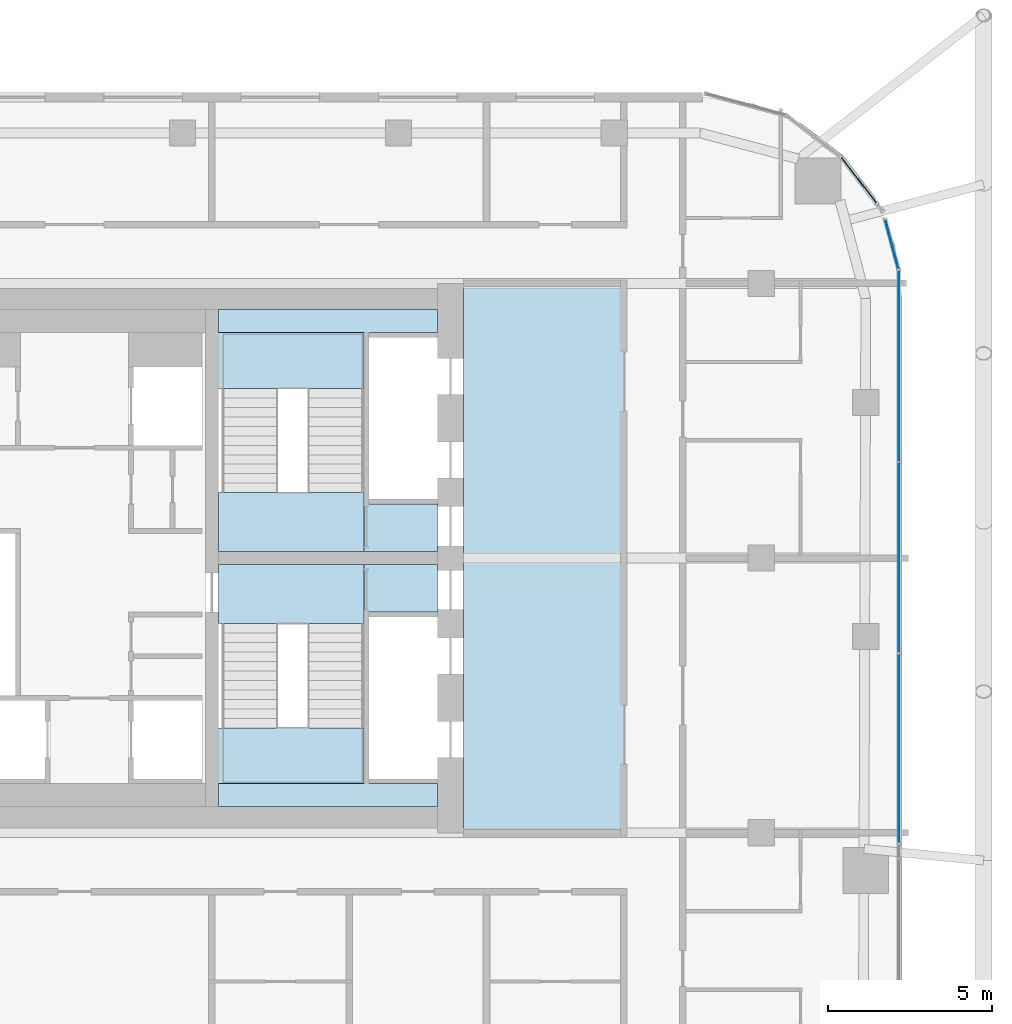
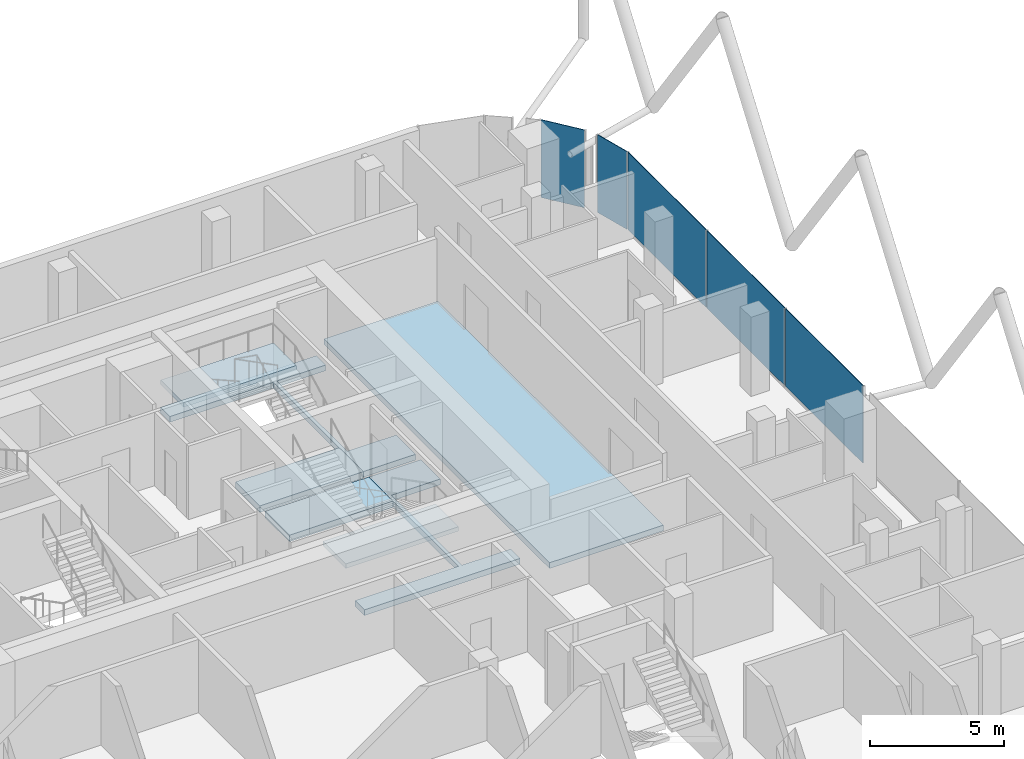
# One storey, part 21 of 31: 7 slabs, 5 plates, 5 elements without a shape of their own.
"""IFC4 building model written with IfcOpenShell, lengths in metres."""

import ifcopenshell
import ifcopenshell.guid

model = None  # the IFC model being written
_history = None  # IfcOwnerHistory: only IFC2X3 demands one
_inside = {}  # id of a spatial element -> (the spatial element, [elements in it])
_under = {}  # id of a project, library or spatial element -> (it, [spatial elements below it])
_declared = {}  # id of a project -> (the project, [libraries it declares])
_typed = {}  # id of a type object -> (the type object, [elements of that type])
_made_of = {}  # id of a material, layer set ... -> (it, [elements and type objects made of it])


def new_model(schema):
    """Start an empty IFC model of exactly this schema.

    Asked for "IFC4X3", IfcOpenShell would pick the latest addendum, in which some entities
    have other attributes; the version numbers below select the first issue.
    IFC2X3 requires an IfcOwnerHistory on every rooted entity: one is made here for all.
    """
    global model, _history
    if schema == "IFC4X3":
        model = ifcopenshell.file(schema_version=(4, 3, 0, 0))
    else:
        model = ifcopenshell.file(schema=schema)
    _inside.clear()
    _under.clear()
    _declared.clear()
    _typed.clear()
    _made_of.clear()
    _history = None
    if model.schema == "IFC2X3":
        org = make("IfcOrganization", Name="unknown")
        user = make(
            "IfcPersonAndOrganization",
            ThePerson=make("IfcPerson", FamilyName="unknown"),
            TheOrganization=org,
        )
        app = make(
            "IfcApplication",
            ApplicationDeveloper=org,
            Version="unknown",
            ApplicationFullName="unknown",
            ApplicationIdentifier="unknown",
        )
        _history = make(
            "IfcOwnerHistory",
            OwningUser=user,
            OwningApplication=app,
            ChangeAction="ADDED",
            CreationDate=0,
        )
    return model


def make(cls, **values):
    """One entity of the class cls with the attributes given. An attribute that is None is left unset."""
    return model.create_entity(
        cls, **{name: value for name, value in values.items() if value is not None}
    )


def rooted(cls, **values):
    """An entity with a GlobalId (a new one), such as an element, a storey or a relation."""
    return make(cls, GlobalId=ifcopenshell.guid.new(), OwnerHistory=_history, **values)


def si_unit(unit_type, name, prefix=None):
    """IfcSIUnit, for example si_unit("LENGTHUNIT", "METRE", prefix="MILLI")."""
    return make("IfcSIUnit", UnitType=unit_type, Prefix=prefix, Name=name)


def assignment(units):
    """IfcUnitAssignment: the units of a project."""
    return None if units is None else make("IfcUnitAssignment", Units=units)


def point(xyz):
    """IfcCartesianPoint."""
    return None if xyz is None else make("IfcCartesianPoint", Coordinates=xyz)


def direction(xyz):
    """IfcDirection."""
    return None if xyz is None else make("IfcDirection", DirectionRatios=xyz)


def frame(location, z_axis=None, x_axis=None):
    """IfcAxis2Placement3D, a coordinate frame: its origin and axes. An axis left out is left unset."""
    return make(
        "IfcAxis2Placement3D",
        Location=point(location),
        Axis=direction(z_axis),
        RefDirection=direction(x_axis),
    )


def frame_2d(location, x_axis=None):
    """IfcAxis2Placement2D, a coordinate frame in the plane: its origin and x axis."""
    return make(
        "IfcAxis2Placement2D", Location=point(location), RefDirection=direction(x_axis)
    )


def origin():
    """The frame at (0, 0, 0) with its axes left unset."""
    return frame((0.0, 0.0, 0.0))


def origin_2d():
    """The frame at (0, 0) in the plane with its x axis left unset."""
    return frame_2d((0.0, 0.0))


def place(relative_to, where):
    """IfcLocalPlacement: puts the frame where relative to a parent placement (None: the world)."""
    return make(
        "IfcLocalPlacement", PlacementRelTo=relative_to, RelativePlacement=where
    )


def context(
    kind, dimensions, precision=None, world=None, true_north=None, identifier=None
):
    """IfcGeometricRepresentationContext, for example the 3D "Model" context."""
    return make(
        "IfcGeometricRepresentationContext",
        ContextIdentifier=identifier,
        ContextType=kind,
        CoordinateSpaceDimension=dimensions,
        Precision=precision,
        WorldCoordinateSystem=world,
        TrueNorth=true_north,
    )


def subcontext(parent, identifier, kind, view, scale=None):
    """IfcGeometricRepresentationSubContext, for example "Body" below "Model"."""
    return make(
        "IfcGeometricRepresentationSubContext",
        ContextIdentifier=identifier,
        ContextType=kind,
        ParentContext=parent,
        TargetScale=scale,
        TargetView=view,
    )


def project(units=None, contexts=None):
    """IfcProject with its units and contexts."""
    return rooted(
        "IfcProject",
        Name="project",
        RepresentationContexts=contexts,
        UnitsInContext=assignment(units),
    )


def spatial(cls, under=None, at=None, **own):
    """A site, building, storey or space (cls), placed at a placement, below another one or the project."""
    s = rooted(cls, ObjectPlacement=at, **own)
    if under is not None:
        _under.setdefault(under.id(), (under, []))[1].append(s)
    return s


def polyline(points):
    """IfcPolyline through the points."""
    return make("IfcPolyline", Points=[point(p) for p in points])


def profile(cls, at=None, kind="AREA", **sizes):
    """A parametric profile (cls). Its sizes go by their IFC names, for example OverallWidth=200.0."""
    return make(cls, ProfileType=kind, Position=at, **sizes)


def rectangle(**sizes):
    """IfcRectangleProfileDef."""
    return profile("IfcRectangleProfileDef", **sizes)


def outline(outer, holes=None, kind="AREA"):
    """IfcArbitraryClosedProfileDef: a profile drawn as a closed curve; with holes, ...WithVoids."""
    if holes is None:
        return make("IfcArbitraryClosedProfileDef", ProfileType=kind, OuterCurve=outer)
    return make(
        "IfcArbitraryProfileDefWithVoids",
        ProfileType=kind,
        OuterCurve=outer,
        InnerCurves=holes,
    )


def extrude(swept, where, along, depth):
    """IfcExtrudedAreaSolid: the profile swept, set in the frame where, extruded along a direction by depth."""
    return make(
        "IfcExtrudedAreaSolid",
        SweptArea=swept,
        Position=where,
        ExtrudedDirection=direction(along),
        Depth=depth,
    )


def shape(context_of_items, identifier, shape_type, items):
    """IfcShapeRepresentation: the items that make up one representation, for example the "Body"."""
    return make(
        "IfcShapeRepresentation",
        ContextOfItems=context_of_items,
        RepresentationIdentifier=identifier,
        RepresentationType=shape_type,
        Items=items,
    )


def material(Name=None, Category=None):
    """IfcMaterial."""
    return make("IfcMaterial", Name=Name, Category=Category)


def layer(
    of_material, thickness, ventilated=None, Name=None, Category=None, Priority=None
):
    """IfcMaterialLayer: one layer of a wall or slab, of a material (None: an air gap)."""
    return make(
        "IfcMaterialLayer",
        Material=of_material,
        LayerThickness=thickness,
        IsVentilated=ventilated,
        Name=Name,
        Category=Category,
        Priority=Priority,
    )


def layer_set(layers, Name=None):
    """IfcMaterialLayerSet."""
    return make("IfcMaterialLayerSet", MaterialLayers=layers, LayerSetName=Name)


def made_of(thing, what):
    """Note that an element or type object is made of a material, layer set ...; save() writes the relation."""
    if what is not None:
        _made_of.setdefault(what.id(), (what, []))[1].append(thing)
    return thing


def type_object(cls, material=None, **own):
    """A type object (cls), such as IfcWallType, which elements share."""
    return made_of(rooted(cls, **own), material)


def element(
    cls,
    number,
    at=None,
    inside=None,
    cuts=None,
    type_object=None,
    material=None,
    context=None,
    identifier="Body",
    shape_type=None,
    held_by="IfcProductDefinitionShape",
    body=None,
    shapes=None,
    **own,
):
    """One element of the class cls, such as IfcWall. Its Tag is "e" and its number.

    at: its placement. inside: the storey or other place that contains it. cuts: it is an
    opening in that element (IfcRelVoidsElement). A single representation is given by context,
    identifier, shape_type and body (its items); several are given by shapes. held_by: the class
    of the entity that holds the representations. save() writes the other relations.
    """
    e = rooted(cls, Tag="e%d" % number, ObjectPlacement=at, **own)
    if body is not None:
        shapes = [shape(context, identifier, shape_type, body)]
    if shapes is not None:
        e.Representation = make(held_by, Representations=shapes)
    if inside is not None:
        _inside.setdefault(inside.id(), (inside, []))[1].append(e)
    if cuts is not None:
        rooted(
            "IfcRelVoidsElement", RelatingBuildingElement=cuts, RelatedOpeningElement=e
        )
    if type_object is not None:
        _typed.setdefault(type_object.id(), (type_object, []))[1].append(e)
    return made_of(e, material)


def aggregate(whole, parts):
    """IfcRelAggregates: a whole, such as a stair, and the parts it consists of."""
    return rooted("IfcRelAggregates", RelatingObject=whole, RelatedObjects=parts)


def save(model, path):
    """Write the relations noted so far, then the file.

    IfcRelAggregates (storeys below a building ...), IfcRelContainedInSpatialStructure (elements
    in a storey), IfcRelDefinesByType, IfcRelAssociatesMaterial and IfcRelDeclares: one each for
    every whole, place, type object, material and project.
    """
    for whole, parts in _under.values():
        aggregate(whole, parts)
    for where, things in _inside.values():
        rooted(
            "IfcRelContainedInSpatialStructure",
            RelatedElements=things,
            RelatingStructure=where,
        )
    for kind, things in _typed.values():
        rooted("IfcRelDefinesByType", RelatedObjects=things, RelatingType=kind)
    for what, things in _made_of.values():
        rooted("IfcRelAssociatesMaterial", RelatedObjects=things, RelatingMaterial=what)
    for by, libraries in _declared.values():
        rooted("IfcRelDeclares", RelatingContext=by, RelatedDefinitions=libraries)
    model.write(path)


model = new_model("IFC4")

# Units and contexts
model_context = context("Model", 3, precision=1e-05, world=origin(), true_north=direction((0.0, 1.0)))
body_context = subcontext(model_context, "Body", "Model", "MODEL_VIEW")
ifc_project = project(units=[si_unit("LENGTHUNIT", "METRE"), si_unit("AREAUNIT", "SQUARE_METRE"), si_unit("VOLUMEUNIT", "CUBIC_METRE"), si_unit("PLANEANGLEUNIT", "RADIAN"), si_unit("MASSUNIT", "GRAM", prefix="KILO")], contexts=[model_context])

# Site, building, storey
site_placement = place(None, origin())
site = spatial("IfcSite", under=ifc_project, at=site_placement, CompositionType="ELEMENT")
building_placement = place(site_placement, origin())
building = spatial("IfcBuilding", under=site, at=building_placement, Name="Marenta Gate Hotel Tower", CompositionType="ELEMENT")
storey_placement = place(building_placement, frame((0.0, 0.0, 220.10009765625)))
storey = spatial("IfcBuildingStorey", under=building, at=storey_placement, Name="L51", CompositionType="ELEMENT", Elevation=220.10009765625)

# Slabs
ifc_material_1 = material(Name="Concrete C40", Category="concrete")
ifc_layer_1 = layer(ifc_material_1, 0.260009765625)
ifc_layer_set_1 = layer_set([ifc_layer_1], Name="Concrete C40")
slab_type_1 = type_object("IfcSlabType", Name="Core floor slab 260", PredefinedType="FLOOR", material=ifc_layer_set_1)
slab_1_placement = place(storey_placement, frame((0.0, 0.0, -0.260009765625)))
element("IfcSlab", 1, at=slab_1_placement, inside=storey, type_object=slab_type_1, Name="L51-CF-1", PredefinedType="FLOOR", context=body_context, shape_type="SweptSolid", body=[
    extrude(outline(polyline([(11.89990234375, 0.0), (11.89990234375, 16.800048828125), (16.800048828125, 16.800048828125), (16.800048828125, 0.0), (11.89990234375, 0.0)])), origin(), (0.0, 0.0, 1.0), 0.260009765625),
])
slab_2_placement = place(storey_placement, frame((0.0, 0.0, -0.260009765625)))
element("IfcSlab", 2, at=slab_2_placement, inside=storey, type_object=slab_type_1, Name="L51-CF-2", PredefinedType="FLOOR", context=body_context, shape_type="SweptSolid", body=[
    extrude(outline(polyline([(8.85009765625, 1.5), (8.85009765625, 6.39990234375), (8.85009765625, 8.10009765625), (8.85009765625, 8.199951171875), (11.10009765625, 8.199951171875), (11.10009765625, 6.75), (9.0, 6.75), (9.0, 6.60009765625), (9.0, 4.199951171875), (9.0, 4.050048828125), (9.0, 1.64990234375), (9.0, 1.5), (11.10009765625, 1.5), (11.10009765625, 0.800048828125), (4.39990234375, 0.800048828125), (4.39990234375, 1.5), (8.85009765625, 1.5)])), origin(), (0.0, 0.0, 1.0), 0.260009765625),
])
slab_3_placement = place(storey_placement, frame((0.0, 0.0, -0.260009765625)))
element("IfcSlab", 3, at=slab_3_placement, inside=storey, type_object=slab_type_1, Name="L51-CF-3", PredefinedType="FLOOR", context=body_context, shape_type="SweptSolid", body=[
    extrude(outline(polyline([(8.85009765625, 15.300048828125), (4.39990234375, 15.300048828125), (4.39990234375, 16.0), (11.10009765625, 16.0), (11.10009765625, 15.300048828125), (9.0, 15.300048828125), (9.0, 15.14990234375), (9.0, 12.75), (9.0, 12.60009765625), (9.0, 10.199951171875), (9.0, 10.050048828125), (11.10009765625, 10.050048828125), (11.10009765625, 8.60009765625), (8.85009765625, 8.60009765625), (8.85009765625, 8.699951171875), (8.85009765625, 10.39990234375), (8.85009765625, 15.300048828125)])), origin(), (0.0, 0.0, 1.0), 0.260009765625),
])

# Stair, slab
ifc_material_2 = material(Name="Concrete C40", Category="concrete")
stair_type = type_object("IfcStairType", Name="Core exit stair 1700 wide", PredefinedType="HALF_TURN_STAIR", material=ifc_material_2)
stair_1_placement = place(storey_placement, origin())
stair_1 = element("IfcStair", 4, at=stair_1_placement, inside=storey, type_object=stair_type, Name="Exit stair 3", PredefinedType="HALF_TURN_STAIR")
ifc_material_3 = material(Name="Concrete C40", Category="concrete")
ifc_layer_2 = layer(ifc_material_3, 0.199951171875)
ifc_layer_set_2 = layer_set([ifc_layer_2], Name="Concrete C40")
slab_type_2 = type_object("IfcSlabType", Name="Core stair landing 200", PredefinedType="LANDING", material=ifc_layer_set_2)
slab_4_placement = place(storey_placement, frame((0.0, 0.0, 1.599853515625)))
slab_4 = element("IfcSlab", 5, at=slab_4_placement, type_object=slab_type_2, Name="SL-200 ST3 landing 1", PredefinedType="LANDING", context=body_context, shape_type="SweptSolid", body=[
    extrude(outline(polyline([(4.0, 1.5), (8.85009765625, 1.5), (8.85009765625, 3.2099609375), (4.0, 3.2099609375), (4.0, 1.5)])), origin(), (0.0, 0.0, 1.0), 0.199951171875),
])
aggregate(stair_1, [slab_4])

stair_2_placement = place(storey_placement, origin())
stair_2 = element("IfcStair", 6, at=stair_2_placement, inside=storey, type_object=stair_type, Name="Exit stair 4", PredefinedType="HALF_TURN_STAIR")
slab_5_placement = place(storey_placement, frame((0.0, 0.0, 1.599853515625)))
slab_5 = element("IfcSlab", 7, at=slab_5_placement, type_object=slab_type_2, Name="SL-200 ST4 landing 1", PredefinedType="LANDING", context=body_context, shape_type="SweptSolid", body=[
    extrude(outline(polyline([(4.0, 13.590087890625), (8.85009765625, 13.590087890625), (8.85009765625, 15.300048828125), (4.0, 15.300048828125), (4.0, 13.590087890625)])), origin(), (0.0, 0.0, 1.0), 0.199951171875),
])
aggregate(stair_2, [slab_5])

# Curtain wall, plates
ifc_material_4 = material(Name="Tinted insulated glass in bronze anodised frame", Category="glass")
ifc_layer_3 = layer(ifc_material_4, 0.1201171875)
ifc_layer_set_3 = layer_set([ifc_layer_3], Name="Tinted insulated glass in bronze anodised frame")
curtain_wall_type = type_object("IfcCurtainWallType", Name="Tower unitised curtain wall CW1", PredefinedType="NOTDEFINED", material=ifc_layer_set_3)
curtain_wall_1_placement = place(storey_placement, origin())
curtain_wall_1 = element("IfcCurtainWall", 8, at=curtain_wall_1_placement, inside=storey, type_object=curtain_wall_type, Name="CW1 run G34", PredefinedType="NOTDEFINED")
ifc_material_5 = material(Name="Tinted insulated glass", Category="glass")
ifc_layer_4 = layer(ifc_material_5, 0.028076171875)
ifc_layer_set_4 = layer_set([ifc_layer_4], Name="Tinted insulated glass")
plate_type = type_object("IfcPlateType", Name="Glass panel CW1 28 mm tinted insulated unit", PredefinedType="CURTAIN_PANEL", material=ifc_layer_set_4)
plate_1_placement = place(storey_placement, frame((25.214111328125, 2.57373046875, 0.059814453125), z_axis=(0.0, 0.0, 1.0), x_axis=(0.0, 1.0, 0.0)))
plate_1 = element("IfcPlate", 9, at=plate_1_placement, type_object=plate_type, Name="CW1 panel 1.1", PredefinedType="CURTAIN_PANEL", context=body_context, shape_type="SweptSolid", body=[
    extrude(rectangle(XDim=5.76318359375, YDim=0.028076171875, at=origin_2d()), origin(), (0.0, 0.0, 1.0), 3.5400390625),
])
plate_2_placement = place(storey_placement, frame((25.214111328125, 8.412109375, 0.059814453125), z_axis=(0.0, 0.0, 1.0), x_axis=(0.0, 1.0, 0.0)))
plate_2 = element("IfcPlate", 10, at=plate_2_placement, type_object=plate_type, Name="CW1 panel 2.1", PredefinedType="CURTAIN_PANEL", context=body_context, shape_type="SweptSolid", body=[
    extrude(rectangle(XDim=5.793212890625, YDim=0.028076171875, at=origin_2d()), origin(), (0.0, 0.0, 1.0), 3.5400390625),
])
plate_3_placement = place(storey_placement, frame((25.214111328125, 14.2802734375, 0.059814453125), z_axis=(0.0, 0.0, 1.0), x_axis=(0.0, 1.0, 0.0)))
plate_3 = element("IfcPlate", 11, at=plate_3_placement, type_object=plate_type, Name="CW1 panel 3.1", PredefinedType="CURTAIN_PANEL", context=body_context, shape_type="SweptSolid", body=[
    extrude(rectangle(XDim=5.8232421875, YDim=0.028076171875, at=origin_2d()), origin(), (0.0, 0.0, 1.0), 3.5400390625),
])
aggregate(curtain_wall_1, [plate_1, plate_2, plate_3])

# Curtain wall, plate
curtain_wall_2_placement = place(storey_placement, origin())
curtain_wall_2 = element("IfcCurtainWall", 12, at=curtain_wall_2_placement, inside=storey, type_object=curtain_wall_type, Name="CW1 run G35", PredefinedType="NOTDEFINED")
plate_4_placement = place(storey_placement, frame((24.998779296875, 17.9951171875, 0.059814453125), z_axis=(0.0, 0.0, 1.0), x_axis=(-0.25883027083, 0.965922818295, 0.0)))
plate_4 = element("IfcPlate", 13, at=plate_4_placement, type_object=plate_type, Name="CW1 panel 1.1", PredefinedType="CURTAIN_PANEL", context=body_context, shape_type="SweptSolid", body=[
    extrude(rectangle(XDim=1.54296875, YDim=0.028076171875, at=origin_2d()), origin(), (0.0, 0.0, 1.0), 3.5400390625),
])
aggregate(curtain_wall_2, [plate_4])

curtain_wall_3_placement = place(storey_placement, origin())
curtain_wall_3 = element("IfcCurtainWall", 14, at=curtain_wall_3_placement, inside=storey, type_object=curtain_wall_type, Name="CW1 run G37", PredefinedType="NOTDEFINED")
plate_5_placement = place(storey_placement, frame((23.98876953125, 19.9541015625, 0.059814453125), z_axis=(0.0, 0.0, 1.0), x_axis=(-0.608784227687, 0.79333584573, 0.0)))
plate_5 = element("IfcPlate", 15, at=plate_5_placement, type_object=plate_type, Name="CW1 panel 1.1", PredefinedType="CURTAIN_PANEL", context=body_context, shape_type="SweptSolid", body=[
    extrude(rectangle(XDim=1.76123046875, YDim=0.028076171875, at=origin_2d()), origin(), (0.0, 0.0, 1.0), 3.5400390625),
])
aggregate(curtain_wall_3, [plate_5])

# Slabs
ifc_material_6 = material(Name="Concrete C40", Category="concrete")
ifc_layer_5 = layer(ifc_material_6, 0.300048828125)
ifc_layer_set_5 = layer_set([ifc_layer_5], Name="Concrete C40")
slab_type_3 = type_object("IfcSlabType", Name="Stair floor landing slab 300", PredefinedType="FLOOR", material=ifc_layer_set_5)
slab_6_placement = place(storey_placement, frame((0.0, 0.0, -0.300048828125)))
element("IfcSlab", 16, at=slab_6_placement, inside=storey, type_object=slab_type_3, Name="L51-CL-ST3-1", PredefinedType="FLOOR", context=body_context, shape_type="SweptSolid", body=[
    extrude(outline(polyline([(4.39990234375, 6.39990234375), (4.39990234375, 8.199951171875), (8.85009765625, 8.199951171875), (8.85009765625, 8.10009765625), (8.85009765625, 6.39990234375), (4.39990234375, 6.39990234375)])), origin(), (0.0, 0.0, 1.0), 0.300048828125),
])
slab_7_placement = place(storey_placement, frame((0.0, 0.0, -0.300048828125)))
element("IfcSlab", 17, at=slab_7_placement, inside=storey, type_object=slab_type_3, Name="L51-CL-ST4-1", PredefinedType="FLOOR", context=body_context, shape_type="SweptSolid", body=[
    extrude(outline(polyline([(4.39990234375, 8.60009765625), (4.39990234375, 10.39990234375), (8.85009765625, 10.39990234375), (8.85009765625, 8.699951171875), (8.85009765625, 8.60009765625), (4.39990234375, 8.60009765625)])), origin(), (0.0, 0.0, 1.0), 0.300048828125),
])

save(model, "model.ifc")
